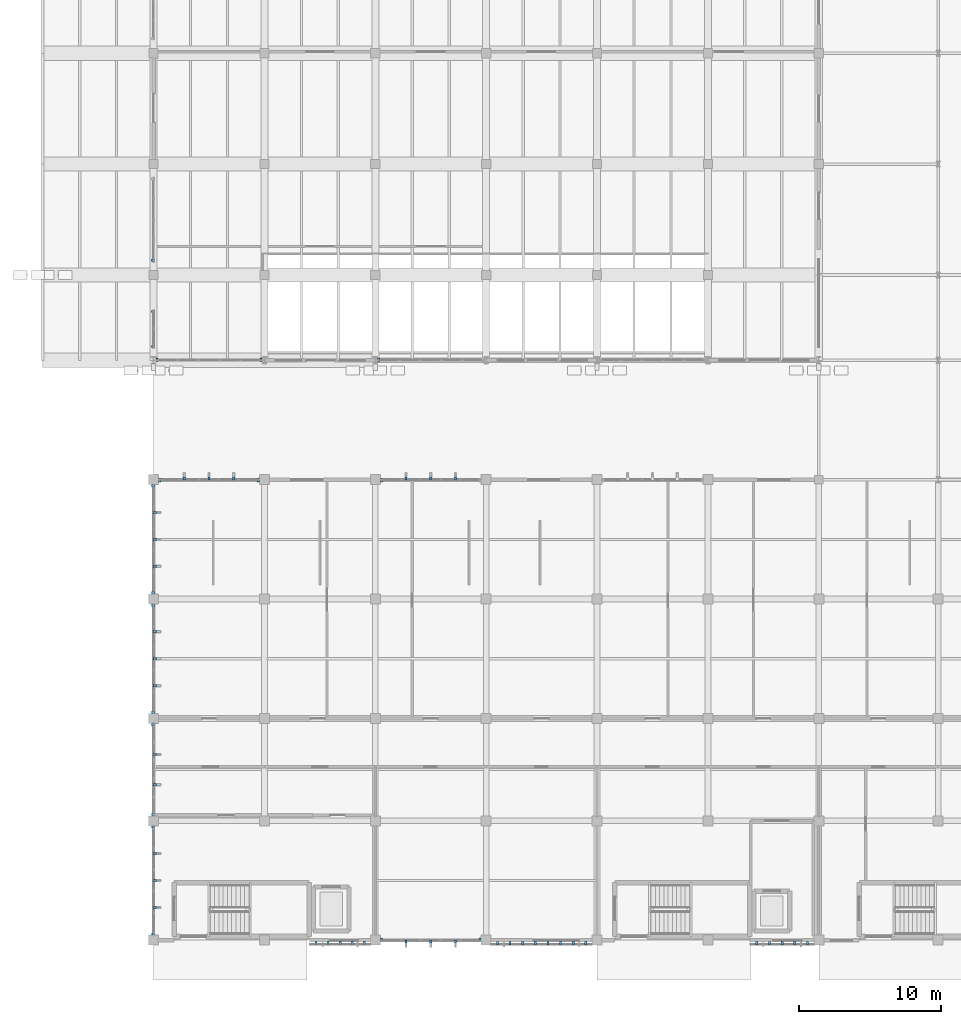
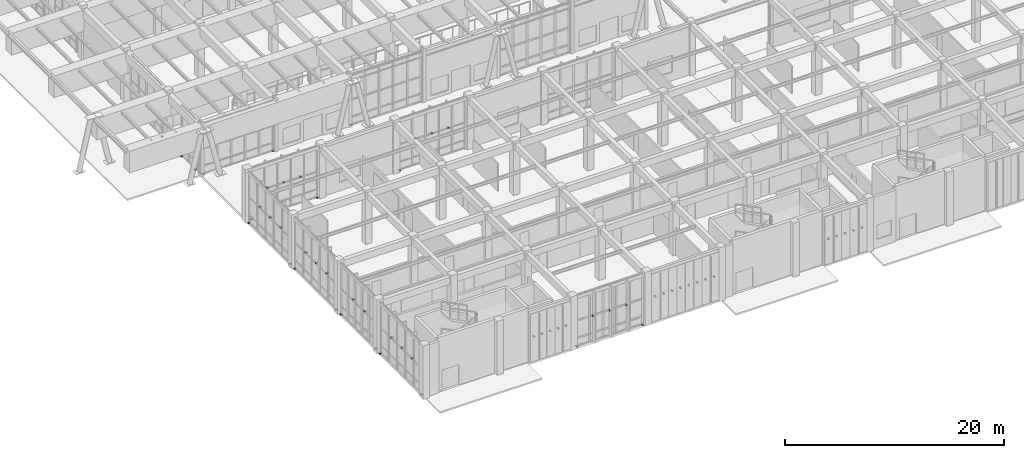
# One storey, part 86 of 110: 57 discrete accessories.
"""IFC4 building model written with IfcOpenShell, lengths in metres."""

from ifc_helpers import new_model, si_unit, direction, frame, origin, origin_2d, place, context, subcontext, project, spatial, rectangle, extrude, material, type_object, element, save


model = new_model("IFC4")

# Units and contexts
model_context = context("Model", 3, precision=1e-05, world=origin(), true_north=direction((0.0, 1.0)))
body_context = subcontext(model_context, "Body", "Model", "MODEL_VIEW")
ifc_project = project(units=[si_unit("LENGTHUNIT", "METRE"), si_unit("AREAUNIT", "SQUARE_METRE"), si_unit("VOLUMEUNIT", "CUBIC_METRE"), si_unit("PLANEANGLEUNIT", "RADIAN"), si_unit("MASSUNIT", "GRAM", prefix="KILO")], contexts=[model_context])

# Site, building, storey
site_placement = place(None, origin())
site = spatial("IfcSite", under=ifc_project, at=site_placement, CompositionType="ELEMENT")
building_placement = place(site_placement, origin())
building = spatial("IfcBuilding", under=site, at=building_placement, Name="Tizgana Railside Sports Hall", CompositionType="ELEMENT")
storey_placement = place(building_placement, origin())
storey = spatial("IfcBuildingStorey", under=building, at=storey_placement, Name="L00", CompositionType="ELEMENT", Elevation=0.0)

# Discrete accessories
ifc_material = material(Name="Steel S355J2", Category="steel")
discrete_accessory_type = type_object("IfcDiscreteAccessoryType", Name="Stainless Facade Support Bracket", PredefinedType="BRACKET", material=ifc_material)
for number, where, z_axis, x_axis, name in (
    (1, (15.364990234375, 40.840087890625, -0.010009765625), (0.0, 0.0, 1.0), (-1.0, 0.0, 0.0), "L00 Curtain Wall Base Bracket"),
    (2, (8.034912109375, 40.840087890625, -0.010009765625), (0.0, 0.0, 1.0), (-1.0, 0.0, 0.0), "L00 Curtain Wall Base Bracket"),
    (3, (23.635009765625, 40.840087890625, -0.010009765625), (0.0, 0.0, 1.0), (-1.0, 0.0, 0.0), "L00 Curtain Wall Base Bracket"),
    (4, (7.760009765625, 44.235107421875, -0.010009765625), (0.0, 0.0, 1.0), (0.0, -1.0, 0.0), "L00 Curtain Wall Base Bracket"),
    (5, (7.760009765625, 41.764892578125, -0.010009765625), (0.0, 0.0, 1.0), (0.0, -1.0, 0.0), "L00 Curtain Wall Base Bracket"),
    (6, (7.760009765625, 47.83740234375, -0.010009765625), (0.0, 0.0, 1.0), (0.0, -1.0, 0.0), "L00 Curtain Wall Base Bracket"),
):
    element("IfcDiscreteAccessory", number, at=place(storey_placement, frame(where, z_axis=z_axis, x_axis=x_axis)), inside=storey, type_object=discrete_accessory_type, Name=name, PredefinedType="BRACKET", context=body_context, shape_type="SweptSolid", body=[
        extrude(rectangle(XDim=0.159912109375, YDim=0.219970703125, at=origin_2d()), origin(), (0.0, 0.0, 1.0), 0.06494140625),
    ])
for number, where, z_axis, x_axis, name in (
    (7, (22.625, -0.199951171875, 2.80517578125), (0.0, 0.0, 1.0), (-1.0, 0.0, 0.0), "L00 Screen Bracket"),
    (8, (21.77490234375, -0.199951171875, 2.80517578125), (0.0, 0.0, 1.0), (-1.0, 0.0, 0.0), "L00 Screen Bracket"),
    (9, (20.925048828125, -0.199951171875, 2.80517578125), (0.0, 0.0, 1.0), (-1.0, 0.0, 0.0), "L00 Screen Bracket"),
    (10, (20.074951171875, -0.199951171875, 2.80517578125), (0.0, 0.0, 1.0), (-1.0, 0.0, 0.0), "L00 Screen Bracket"),
    (11, (19.22509765625, -0.199951171875, 2.80517578125), (0.0, 0.0, 1.0), (-1.0, 0.0, 0.0), "L00 Screen Bracket"),
):
    element("IfcDiscreteAccessory", number, at=place(storey_placement, frame(where, z_axis=z_axis, x_axis=x_axis)), inside=storey, type_object=discrete_accessory_type, Name=name, PredefinedType="BRACKET", context=body_context, shape_type="SweptSolid", body=[
        extrude(rectangle(XDim=0.159912109375, YDim=0.25, at=origin_2d()), origin(), (0.0, 0.0, 1.0), 0.139892578125),
    ])
for number, where, z_axis, x_axis, name in (
    (12, (30.762451171875, 0.0400390625, -0.010009765625), (0.0, 0.0, 1.0), (-1.0, 0.0, 0.0), "L00 Curtain Wall Base Bracket"),
    (13, (23.83740234375, 0.0400390625, -0.010009765625), (0.0, 0.0, 1.0), (-1.0, 0.0, 0.0), "L00 Curtain Wall Base Bracket"),
):
    element("IfcDiscreteAccessory", number, at=place(storey_placement, frame(where, z_axis=z_axis, x_axis=x_axis)), inside=storey, type_object=discrete_accessory_type, Name=name, PredefinedType="BRACKET", context=body_context, shape_type="SweptSolid", body=[
        extrude(rectangle(XDim=0.159912109375, YDim=0.219970703125, at=origin_2d()), origin(), (0.0, 0.0, 1.0), 0.06494140625),
    ])
for number, where, z_axis, x_axis, name in (
    (14, (29.047607421875, -0.080078125, 2.83740234375), (0.0, 0.0, 1.0), (-1.0, 0.0, 0.0), "L00 Fin Bracket"),
    (15, (27.300048828125, -0.080078125, 2.83740234375), (0.0, 0.0, 1.0), (-1.0, 0.0, 0.0), "L00 Fin Bracket"),
    (16, (25.552490234375, -0.080078125, 2.83740234375), (0.0, 0.0, 1.0), (-1.0, 0.0, 0.0), "L00 Fin Bracket"),
):
    element("IfcDiscreteAccessory", number, at=place(storey_placement, frame(where, z_axis=z_axis, x_axis=x_axis)), inside=storey, type_object=discrete_accessory_type, Name=name, PredefinedType="BRACKET", context=body_context, shape_type="SweptSolid", body=[
        extrude(rectangle(XDim=0.159912109375, YDim=0.219970703125, at=origin_2d()), origin(), (0.0, 0.0, 1.0), 0.1201171875),
    ])
for number, where, z_axis, x_axis, name in (
    (17, (38.206298828125, -0.199951171875, 2.80517578125), (0.0, 0.0, 1.0), (-1.0, 0.0, 0.0), "L00 Screen Bracket"),
    (18, (37.31884765625, -0.199951171875, 2.80517578125), (0.0, 0.0, 1.0), (-1.0, 0.0, 0.0), "L00 Screen Bracket"),
    (19, (36.43115234375, -0.199951171875, 2.80517578125), (0.0, 0.0, 1.0), (-1.0, 0.0, 0.0), "L00 Screen Bracket"),
    (20, (35.543701171875, -0.199951171875, 2.80517578125), (0.0, 0.0, 1.0), (-1.0, 0.0, 0.0), "L00 Screen Bracket"),
    (21, (34.65625, -0.199951171875, 2.80517578125), (0.0, 0.0, 1.0), (-1.0, 0.0, 0.0), "L00 Screen Bracket"),
    (22, (33.768798828125, -0.199951171875, 2.80517578125), (0.0, 0.0, 1.0), (-1.0, 0.0, 0.0), "L00 Screen Bracket"),
    (23, (32.88134765625, -0.199951171875, 2.80517578125), (0.0, 0.0, 1.0), (-1.0, 0.0, 0.0), "L00 Screen Bracket"),
    (24, (31.99365234375, -0.199951171875, 2.80517578125), (0.0, 0.0, 1.0), (-1.0, 0.0, 0.0), "L00 Screen Bracket"),
    (25, (53.804931640625, -0.199951171875, 2.80517578125), (0.0, 0.0, 1.0), (-1.0, 0.0, 0.0), "L00 Screen Bracket"),
    (26, (52.9150390625, -0.199951171875, 2.80517578125), (0.0, 0.0, 1.0), (-1.0, 0.0, 0.0), "L00 Screen Bracket"),
    (27, (52.02490234375, -0.199951171875, 2.80517578125), (0.0, 0.0, 1.0), (-1.0, 0.0, 0.0), "L00 Screen Bracket"),
    (28, (51.135009765625, -0.199951171875, 2.80517578125), (0.0, 0.0, 1.0), (-1.0, 0.0, 0.0), "L00 Screen Bracket"),
    (29, (50.2451171875, -0.199951171875, 2.80517578125), (0.0, 0.0, 1.0), (-1.0, 0.0, 0.0), "L00 Screen Bracket"),
):
    element("IfcDiscreteAccessory", number, at=place(storey_placement, frame(where, z_axis=z_axis, x_axis=x_axis)), inside=storey, type_object=discrete_accessory_type, Name=name, PredefinedType="BRACKET", context=body_context, shape_type="SweptSolid", body=[
        extrude(rectangle(XDim=0.159912109375, YDim=0.25, at=origin_2d()), origin(), (0.0, 0.0, 1.0), 0.139892578125),
    ])
for number, where, z_axis, x_axis, name in (
    (30, (8.235107421875, 32.360107421875, -0.010009765625), (0.0, 0.0, 1.0), (1.0, 0.0, 0.0), "L00 Curtain Wall Base Bracket"),
    (31, (15.1650390625, 32.360107421875, -0.010009765625), (0.0, 0.0, 1.0), (1.0, 0.0, 0.0), "L00 Curtain Wall Base Bracket"),
):
    element("IfcDiscreteAccessory", number, at=place(storey_placement, frame(where, z_axis=z_axis, x_axis=x_axis)), inside=storey, type_object=discrete_accessory_type, Name=name, PredefinedType="BRACKET", context=body_context, shape_type="SweptSolid", body=[
        extrude(rectangle(XDim=0.159912109375, YDim=0.219970703125, at=origin_2d()), origin(), (0.0, 0.0, 1.0), 0.06494140625),
    ])
for number, where, z_axis, x_axis, name in (
    (32, (9.952392578125, 32.47998046875, 2.83740234375), (0.0, 0.0, 1.0), (1.0, 0.0, 0.0), "L00 Fin Bracket"),
    (33, (11.699951171875, 32.47998046875, 2.83740234375), (0.0, 0.0, 1.0), (1.0, 0.0, 0.0), "L00 Fin Bracket"),
    (34, (13.447509765625, 32.47998046875, 2.83740234375), (0.0, 0.0, 1.0), (1.0, 0.0, 0.0), "L00 Fin Bracket"),
):
    element("IfcDiscreteAccessory", number, at=place(storey_placement, frame(where, z_axis=z_axis, x_axis=x_axis)), inside=storey, type_object=discrete_accessory_type, Name=name, PredefinedType="BRACKET", context=body_context, shape_type="SweptSolid", body=[
        extrude(rectangle(XDim=0.159912109375, YDim=0.219970703125, at=origin_2d()), origin(), (0.0, 0.0, 1.0), 0.1201171875),
    ])
discrete_accessory_placement = place(storey_placement, frame((23.8349609375, 32.360107421875, -0.010009765625), z_axis=(0.0, 0.0, 1.0), x_axis=(1.0, 0.0, 0.0)))
element("IfcDiscreteAccessory", 35, at=discrete_accessory_placement, inside=storey, type_object=discrete_accessory_type, Name="L00 Curtain Wall Base Bracket", PredefinedType="BRACKET", context=body_context, shape_type="SweptSolid", body=[
    extrude(rectangle(XDim=0.159912109375, YDim=0.219970703125, at=origin_2d()), origin(), (0.0, 0.0, 1.0), 0.06494140625),
])
for number, where, z_axis, x_axis, name in (
    (36, (25.552490234375, 32.47998046875, 2.83740234375), (0.0, 0.0, 1.0), (1.0, 0.0, 0.0), "L00 Fin Bracket"),
    (37, (27.300048828125, 32.47998046875, 2.83740234375), (0.0, 0.0, 1.0), (1.0, 0.0, 0.0), "L00 Fin Bracket"),
    (38, (29.047607421875, 32.47998046875, 2.83740234375), (0.0, 0.0, 1.0), (1.0, 0.0, 0.0), "L00 Fin Bracket"),
):
    element("IfcDiscreteAccessory", number, at=place(storey_placement, frame(where, z_axis=z_axis, x_axis=x_axis)), inside=storey, type_object=discrete_accessory_type, Name=name, PredefinedType="BRACKET", context=body_context, shape_type="SweptSolid", body=[
        extrude(rectangle(XDim=0.159912109375, YDim=0.219970703125, at=origin_2d()), origin(), (0.0, 0.0, 1.0), 0.1201171875),
    ])
for number, where, z_axis, x_axis, name in (
    (39, (7.760009765625, 7.9599609375, -0.010009765625), (0.0, 0.0, 1.0), (0.0, -1.0, 0.0), "L00 Curtain Wall Base Bracket"),
    (40, (7.760009765625, 0.43994140625, -0.010009765625), (0.0, 0.0, 1.0), (0.0, -1.0, 0.0), "L00 Curtain Wall Base Bracket"),
):
    element("IfcDiscreteAccessory", number, at=place(storey_placement, frame(where, z_axis=z_axis, x_axis=x_axis)), inside=storey, type_object=discrete_accessory_type, Name=name, PredefinedType="BRACKET", context=body_context, shape_type="SweptSolid", body=[
        extrude(rectangle(XDim=0.159912109375, YDim=0.219970703125, at=origin_2d()), origin(), (0.0, 0.0, 1.0), 0.06494140625),
    ])
for number, where, z_axis, x_axis, name in (
    (41, (7.8798828125, 6.097412109375, 2.83740234375), (0.0, 0.0, 1.0), (0.0, -1.0, 0.0), "L00 Fin Bracket"),
    (42, (7.8798828125, 4.199951171875, 2.83740234375), (0.0, 0.0, 1.0), (0.0, -1.0, 0.0), "L00 Fin Bracket"),
    (43, (7.8798828125, 2.302490234375, 2.83740234375), (0.0, 0.0, 1.0), (0.0, -1.0, 0.0), "L00 Fin Bracket"),
):
    element("IfcDiscreteAccessory", number, at=place(storey_placement, frame(where, z_axis=z_axis, x_axis=x_axis)), inside=storey, type_object=discrete_accessory_type, Name=name, PredefinedType="BRACKET", context=body_context, shape_type="SweptSolid", body=[
        extrude(rectangle(XDim=0.159912109375, YDim=0.219970703125, at=origin_2d()), origin(), (0.0, 0.0, 1.0), 0.1201171875),
    ])
for number, where, z_axis, x_axis, name in (
    (44, (7.760009765625, 15.157470703125, -0.010009765625), (0.0, 0.0, 1.0), (0.0, -1.0, 0.0), "L00 Curtain Wall Base Bracket"),
    (45, (7.760009765625, 8.842529296875, -0.010009765625), (0.0, 0.0, 1.0), (0.0, -1.0, 0.0), "L00 Curtain Wall Base Bracket"),
):
    element("IfcDiscreteAccessory", number, at=place(storey_placement, frame(where, z_axis=z_axis, x_axis=x_axis)), inside=storey, type_object=discrete_accessory_type, Name=name, PredefinedType="BRACKET", context=body_context, shape_type="SweptSolid", body=[
        extrude(rectangle(XDim=0.159912109375, YDim=0.219970703125, at=origin_2d()), origin(), (0.0, 0.0, 1.0), 0.06494140625),
    ])
for number, where, z_axis, x_axis, name in (
    (46, (7.8798828125, 13.06494140625, 2.83740234375), (0.0, 0.0, 1.0), (0.0, -1.0, 0.0), "L00 Fin Bracket"),
    (47, (7.8798828125, 10.93505859375, 2.83740234375), (0.0, 0.0, 1.0), (0.0, -1.0, 0.0), "L00 Fin Bracket"),
):
    element("IfcDiscreteAccessory", number, at=place(storey_placement, frame(where, z_axis=z_axis, x_axis=x_axis)), inside=storey, type_object=discrete_accessory_type, Name=name, PredefinedType="BRACKET", context=body_context, shape_type="SweptSolid", body=[
        extrude(rectangle(XDim=0.159912109375, YDim=0.219970703125, at=origin_2d()), origin(), (0.0, 0.0, 1.0), 0.1201171875),
    ])
for number, where, z_axis, x_axis, name in (
    (48, (7.760009765625, 23.56494140625, -0.010009765625), (0.0, 0.0, 1.0), (0.0, -1.0, 0.0), "L00 Curtain Wall Base Bracket"),
    (49, (7.760009765625, 16.034912109375, -0.010009765625), (0.0, 0.0, 1.0), (0.0, -1.0, 0.0), "L00 Curtain Wall Base Bracket"),
):
    element("IfcDiscreteAccessory", number, at=place(storey_placement, frame(where, z_axis=z_axis, x_axis=x_axis)), inside=storey, type_object=discrete_accessory_type, Name=name, PredefinedType="BRACKET", context=body_context, shape_type="SweptSolid", body=[
        extrude(rectangle(XDim=0.159912109375, YDim=0.219970703125, at=origin_2d()), origin(), (0.0, 0.0, 1.0), 0.06494140625),
    ])
for number, where, z_axis, x_axis, name in (
    (50, (7.8798828125, 21.697509765625, 2.83740234375), (0.0, 0.0, 1.0), (0.0, -1.0, 0.0), "L00 Fin Bracket"),
    (51, (7.8798828125, 19.800048828125, 2.83740234375), (0.0, 0.0, 1.0), (0.0, -1.0, 0.0), "L00 Fin Bracket"),
    (52, (7.8798828125, 17.902587890625, 2.83740234375), (0.0, 0.0, 1.0), (0.0, -1.0, 0.0), "L00 Fin Bracket"),
):
    element("IfcDiscreteAccessory", number, at=place(storey_placement, frame(where, z_axis=z_axis, x_axis=x_axis)), inside=storey, type_object=discrete_accessory_type, Name=name, PredefinedType="BRACKET", context=body_context, shape_type="SweptSolid", body=[
        extrude(rectangle(XDim=0.159912109375, YDim=0.219970703125, at=origin_2d()), origin(), (0.0, 0.0, 1.0), 0.1201171875),
    ])
for number, where, z_axis, x_axis, name in (
    (53, (7.760009765625, 31.965087890625, -0.010009765625), (0.0, 0.0, 1.0), (0.0, -1.0, 0.0), "L00 Curtain Wall Base Bracket"),
    (54, (7.760009765625, 24.43505859375, -0.010009765625), (0.0, 0.0, 1.0), (0.0, -1.0, 0.0), "L00 Curtain Wall Base Bracket"),
):
    element("IfcDiscreteAccessory", number, at=place(storey_placement, frame(where, z_axis=z_axis, x_axis=x_axis)), inside=storey, type_object=discrete_accessory_type, Name=name, PredefinedType="BRACKET", context=body_context, shape_type="SweptSolid", body=[
        extrude(rectangle(XDim=0.159912109375, YDim=0.219970703125, at=origin_2d()), origin(), (0.0, 0.0, 1.0), 0.06494140625),
    ])
for number, where, z_axis, x_axis, name in (
    (55, (7.8798828125, 30.097412109375, 2.83740234375), (0.0, 0.0, 1.0), (0.0, -1.0, 0.0), "L00 Fin Bracket"),
    (56, (7.8798828125, 28.199951171875, 2.83740234375), (0.0, 0.0, 1.0), (0.0, -1.0, 0.0), "L00 Fin Bracket"),
    (57, (7.8798828125, 26.302490234375, 2.83740234375), (0.0, 0.0, 1.0), (0.0, -1.0, 0.0), "L00 Fin Bracket"),
):
    element("IfcDiscreteAccessory", number, at=place(storey_placement, frame(where, z_axis=z_axis, x_axis=x_axis)), inside=storey, type_object=discrete_accessory_type, Name=name, PredefinedType="BRACKET", context=body_context, shape_type="SweptSolid", body=[
        extrude(rectangle(XDim=0.159912109375, YDim=0.219970703125, at=origin_2d()), origin(), (0.0, 0.0, 1.0), 0.1201171875),
    ])

save(model, "model.ifc")
